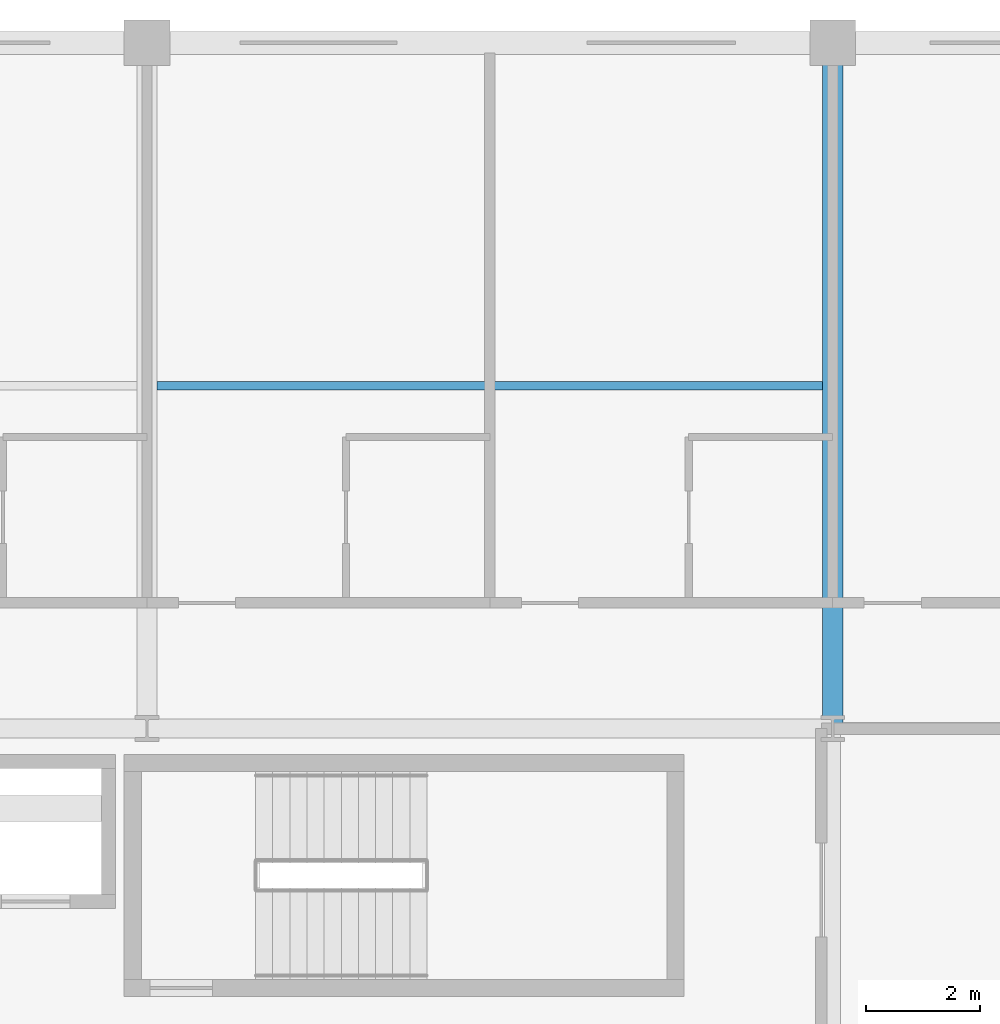
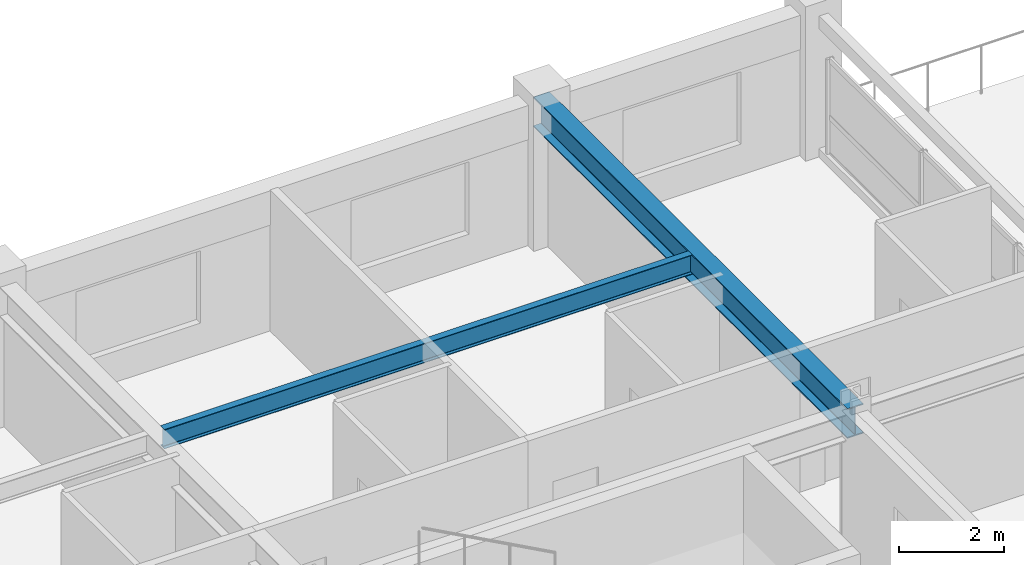
# One storey, part 15 of 27: 2 beams.
"""IFC4 building model written with IfcOpenShell, lengths in metres."""

from ifc_helpers import new_model, si_unit, direction, frame, origin, origin_2d, place, context, subcontext, project, spatial, i_section, extrude, material, material_profile, profile_set, type_object, element, save


model = new_model("IFC4")

# Units and contexts
model_context = context("Model", 3, precision=1e-05, world=origin(), true_north=direction((0.0, 1.0)))
body_context = subcontext(model_context, "Body", "Model", "MODEL_VIEW")
ifc_project = project(units=[si_unit("LENGTHUNIT", "METRE"), si_unit("AREAUNIT", "SQUARE_METRE"), si_unit("VOLUMEUNIT", "CUBIC_METRE"), si_unit("PLANEANGLEUNIT", "RADIAN"), si_unit("MASSUNIT", "GRAM", prefix="KILO")], contexts=[model_context])

# Site, building, storey
site_placement = place(None, origin())
site = spatial("IfcSite", under=ifc_project, at=site_placement, CompositionType="ELEMENT")
building_placement = place(site_placement, origin())
building = spatial("IfcBuilding", under=site, at=building_placement, Name="Kaldorvane Square Convention Centre", CompositionType="ELEMENT")
storey_placement = place(building_placement, frame((0.0, 0.0, 38.399993896484375)))
storey = spatial("IfcBuildingStorey", under=building, at=storey_placement, Name="L08", CompositionType="ELEMENT", Elevation=38.399993896484375)

# Beams
ifc_material = material(Name="Steel ASTM A992 Gr. 50", Category="steel")
ifc_material_profile_1 = material_profile(ifc_material, i_section(OverallWidth=0.354705810546875, OverallDepth=0.69549560546875, WebThickness=0.0153961181640625, FlangeThickness=0.0251007080078125, FilletRadius=0.01519775390625, at=origin_2d()), Name="W27X146")
ifc_profile_set_1 = profile_set([ifc_material_profile_1], Name="Steel ASTM A992 Gr. 50")
beam_type_1 = type_object("IfcBeamType", Name="BM-GR-W27X146", PredefinedType="BEAM", material=ifc_profile_set_1)
beam_1_placement = place(storey_placement, frame((78.0, 105.0, 2.9383087158203125), z_axis=(0.0, 1.0, 0.0), x_axis=(-1.0, 0.0, 0.0)))
element("IfcBeam", 1, at=beam_1_placement, inside=storey, type_object=beam_type_1, Name="Transverse Girder (L08)", PredefinedType="BEAM", context=body_context, shape_type="SweptSolid", body=[
    extrude(i_section(OverallWidth=0.354705810546875, OverallDepth=0.69549560546875, WebThickness=0.0153961181640625, FlangeThickness=0.0251007080078125, FilletRadius=0.01519775390625, at=origin_2d()), origin(), (0.0, 0.0, 1.0), 12.0),
])
ifc_material_profile_2 = material_profile(ifc_material, i_section(OverallWidth=0.152801513671875, OverallDepth=0.4546966552734375, WebThickness=0.00799560546875, FlangeThickness=0.0133056640625, FilletRadius=0.01019287109375, at=origin_2d()), Name="W18X40")
ifc_profile_set_2 = profile_set([ifc_material_profile_2], Name="Steel ASTM A992 Gr. 50")
beam_type_2 = type_object("IfcBeamType", Name="BM-JS-W18X40", PredefinedType="JOIST", material=ifc_profile_set_2)
beam_2_placement = place(storey_placement, frame((66.17739868164062, 111.0, 3.0586090087890625), z_axis=(1.0, 0.0, 0.0), x_axis=(0.0, 1.0, 0.0)))
element("IfcBeam", 2, at=beam_2_placement, inside=storey, type_object=beam_type_2, Name="Secondary Floor Joist (L08)", PredefinedType="JOIST", context=body_context, shape_type="SweptSolid", body=[
    extrude(i_section(OverallWidth=0.152801513671875, OverallDepth=0.4546966552734375, WebThickness=0.00799560546875, FlangeThickness=0.0133056640625, FilletRadius=0.01019287109375, at=origin_2d()), origin(), (0.0, 0.0, 1.0), 11.64520263671875),
])

save(model, "model.ifc")
